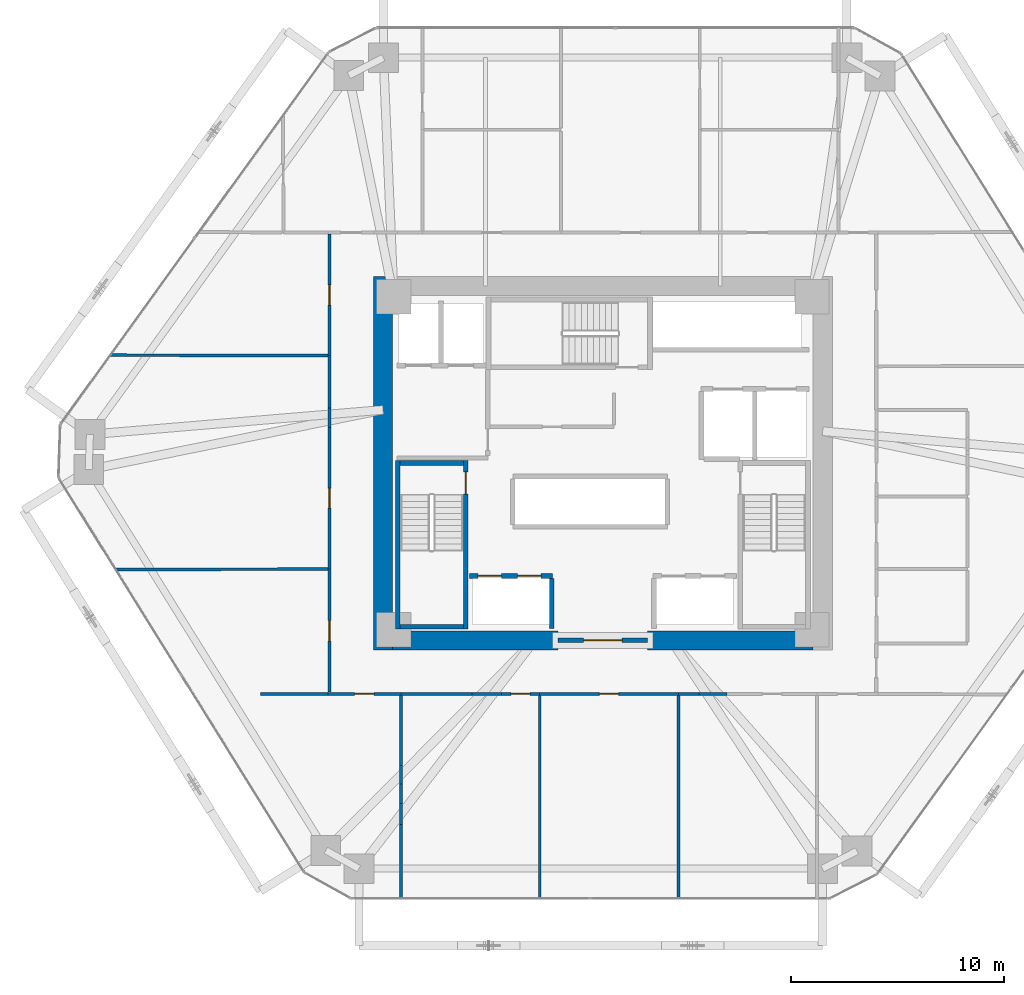
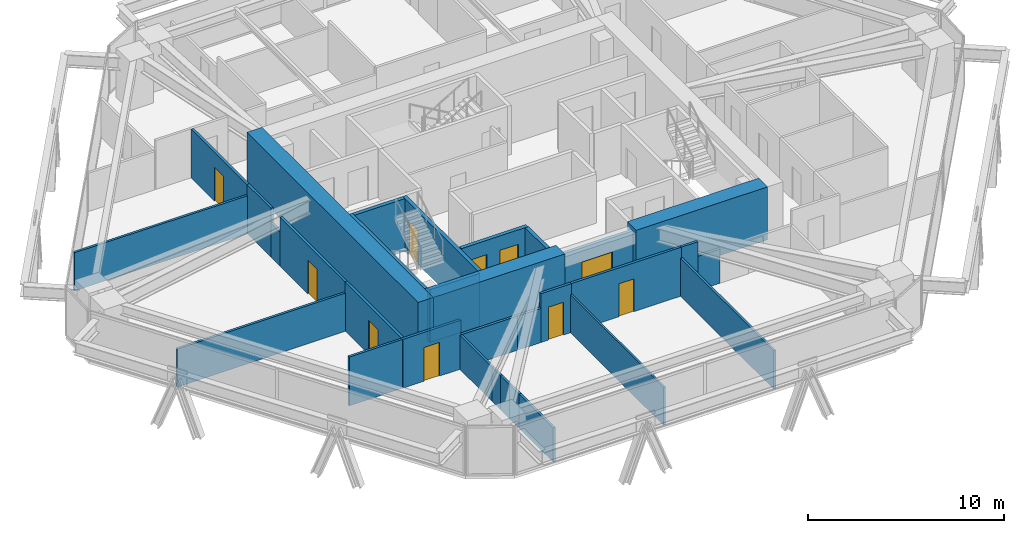
# One storey, part 13 of 17: 32 walls, 10 doors, 10 openings.
"""IFC4 building model written with IfcOpenShell, lengths in metres."""

from ifc_helpers import new_model, si_unit, direction, frame, frame_2d, origin, place, context, subcontext, project, spatial, rectangle, extrude, source, transform, mapped, material, layer, layer_set, type_object, type_shapes, element, fill, save


model = new_model("IFC4")

# Units and contexts
model_context = context("Model", 3, precision=1e-05, world=origin(), true_north=direction((0.0, 1.0)))
body_context = subcontext(model_context, "Body", "Model", "MODEL_VIEW")
ifc_project = project(units=[si_unit("LENGTHUNIT", "METRE"), si_unit("AREAUNIT", "SQUARE_METRE"), si_unit("VOLUMEUNIT", "CUBIC_METRE"), si_unit("PLANEANGLEUNIT", "RADIAN"), si_unit("MASSUNIT", "GRAM", prefix="KILO")], contexts=[model_context])

# Site, building, storey
site_placement = place(None, origin())
site = spatial("IfcSite", under=ifc_project, at=site_placement, CompositionType="ELEMENT")
building_placement = place(site_placement, origin())
building = spatial("IfcBuilding", under=site, at=building_placement, Name="Durnholm Broadcast Tower", CompositionType="ELEMENT")
storey_placement = place(building_placement, frame((0.0, 0.0, 45.60009765625)))
storey = spatial("IfcBuildingStorey", under=building, at=storey_placement, Name="L10", CompositionType="ELEMENT", Elevation=45.60009765625)

# Walls
ifc_material_1 = material(Name="Concrete C70/85", Category="concrete")
ifc_layer_1 = layer(ifc_material_1, 0.89990234375)
ifc_layer_set_1 = layer_set([ifc_layer_1], Name="Concrete C70/85")
wall_type_1 = type_object("IfcWallType", Name="WALL-CW-900", PredefinedType="SHEAR", material=ifc_layer_set_1)
wall_1_placement = place(storey_placement, frame((-10.300048828125, -8.75, 0.0), z_axis=(0.0, 0.0, 1.0), x_axis=(0.0, 1.0, 0.0)))
element("IfcWall", 1, at=wall_1_placement, inside=storey, type_object=wall_type_1, Name="L10 central core shear wall CW-WEST", PredefinedType="SHEAR", context=body_context, shape_type="SweptSolid", body=[
    extrude(rectangle(XDim=17.5, YDim=0.89990234375, at=frame_2d((8.75, 0.0))), origin(), (0.0, 0.0, 1.0), 3.2998046875),
])
for number, where, z_axis, x_axis, name in (
    (2, (-9.85009765625, -8.300048828125, 0.0), (0.0, 0.0, 1.0), (1.0, 0.0, 0.0), "L10 central core shear wall CW-S1"),
    (3, (2.10009765625, -8.300048828125, 0.0), (0.0, 0.0, 1.0), (1.0, 0.0, 0.0), "L10 central core shear wall CW-S2"),
):
    element("IfcWall", number, at=place(storey_placement, frame(where, z_axis=z_axis, x_axis=x_axis)), inside=storey, type_object=wall_type_1, Name=name, PredefinedType="SHEAR", context=body_context, shape_type="SweptSolid", body=[
        extrude(rectangle(XDim=7.75, YDim=0.89990234375, at=frame_2d((3.875, 0.0))), origin(), (0.0, 0.0, 1.0), 3.2998046875),
    ])

# Wall, opening, door
ifc_material_2 = material(Name="Fire-Rated Gypsum Shaftwall", Category="concrete")
ifc_layer_2 = layer(ifc_material_2, 0.199951171875)
ifc_layer_set_2 = layer_set([ifc_layer_2], Name="Fire-Rated Gypsum Shaftwall")
wall_type_2 = type_object("IfcWallType", Name="WALL-LOB-200", PredefinedType="SOLIDWALL", material=ifc_layer_set_2)
wall_2_placement = place(storey_placement, frame((-2.10009765625, -8.300048828125, 0.0), z_axis=(0.0, 0.0, 1.0), x_axis=(1.0, 0.0, 0.0)))
wall_2 = element("IfcWall", 4, at=wall_2_placement, inside=storey, type_object=wall_type_2, Name="L10 south core lobby fire screen", PredefinedType="SOLIDWALL", context=body_context, shape_type="SweptSolid", body=[
    extrude(rectangle(XDim=4.2001953125, YDim=0.199951171875, at=frame_2d((2.10009765625, 0.0))), origin(), (0.0, 0.0, 1.0), 3.044921875),
])
opening_1_placement = place(wall_2_placement, frame((1.199951171875, 0.0, 0.0)))
opening_1 = element("IfcOpeningElement", 5, at=opening_1_placement, cuts=wall_2, Name="Opening DP-60", PredefinedType="OPENING", context=body_context, shape_type="SweptSolid", body=[
    extrude(rectangle(XDim=1.800048828125, YDim=2.14990234375, at=frame_2d((0.89990234375, 1.074951171875))), frame((0.0, 0.10986328125, 0.0), z_axis=(0.0, -1.0, 0.0), x_axis=(1.0, 0.0, 0.0)), (0.0, 0.0, 1.0), 0.219970703125),
])
ifc_material_3 = material(Name="Fire-Rated Double Corridor Door", Category="steel")
ifc_layer_3 = layer(ifc_material_3, 0.050048828125)
ifc_layer_set_3 = layer_set([ifc_layer_3], Name="Fire-Rated Double Corridor Door")
door_type_1 = type_object("IfcDoorType", Name="DOOR-PAIR-FD60", OperationType="DOUBLE_DOOR_SINGLE_SWING", PredefinedType="DOOR", material=ifc_layer_set_3)
shared_shape_1 = source(origin(), body_context, "Body", "SweptSolid", [
    extrude(rectangle(XDim=1.800048828125, YDim=2.14990234375, at=frame_2d((0.89990234375, 1.074951171875))), frame((0.0, 0.02490234375, 0.0), z_axis=(0.0, -1.0, 0.0), x_axis=(1.0, 0.0, 0.0)), (0.0, 0.0, 1.0), 0.050048828125),
])
type_shapes(door_type_1, [shared_shape_1])
door_1_placement = place(opening_1_placement, origin())
door_1 = element("IfcDoor", 6, at=door_1_placement, inside=storey, type_object=door_type_1, Name="L10 south core lobby double fire door", OperationType="DOUBLE_DOOR_SINGLE_SWING", OverallHeight=2.14990234375, OverallWidth=1.800048828125, PredefinedType="DOOR", context=body_context, shape_type="MappedRepresentation", body=[
    mapped(shared_shape_1, transform((0.0, 0.0, 0.0), x_axis=(1.0, 0.0, 0.0), y_axis=(0.0, 1.0, 0.0), z_axis=(0.0, 0.0, 1.0), scale=1.0)),
])
fill(opening_1, door_1)

# Walls
ifc_material_4 = material(Name="Operable Acoustic Panel Partition", Category="aluminium")
ifc_layer_4 = layer(ifc_material_4, 0.110107421875)
ifc_layer_set_4 = layer_set([ifc_layer_4], Name="Operable Acoustic Panel Partition")
wall_type_3 = type_object("IfcWallType", Name="WALL-MOV-110", PredefinedType="MOVABLE", material=ifc_layer_set_4)
wall_3_placement = place(storey_placement, frame((-2.9599609375, -10.888916015625, 0.0), z_axis=(0.0, 0.0, 1.0), x_axis=(0.0, -1.0, 0.0)))
element("IfcWall", 7, at=wall_3_placement, inside=storey, type_object=wall_type_3, Name="L10 room dividing partition 14.15", PredefinedType="MOVABLE", context=body_context, shape_type="SweptSolid", body=[
    extrude(rectangle(XDim=9.510986328125, YDim=0.110107421875, at=frame_2d((4.75537109375, 0.0))), origin(), (0.0, 0.0, 1.0), 2.3798828125),
])
ifc_material_5 = material(Name="Gypsum Metal Stud Partition", Category="concrete")
ifc_layer_5 = layer(ifc_material_5, 0.135009765625)
ifc_layer_set_5 = layer_set([ifc_layer_5], Name="Gypsum Metal Stud Partition")
wall_type_4 = type_object("IfcWallType", Name="WALL-PART-135", PredefinedType="PARTITIONING", material=ifc_layer_set_5)
wall_4_placement = place(storey_placement, frame((-9.4599609375, -10.888916015625, 0.0), z_axis=(0.0, 0.0, 1.0), x_axis=(0.0, -1.0, 0.0)))
element("IfcWall", 8, at=wall_4_placement, inside=storey, type_object=wall_type_4, Name="L10 room dividing partition 13.14", PredefinedType="PARTITIONING", context=body_context, shape_type="SweptSolid", body=[
    extrude(rectangle(XDim=3.2783203125, YDim=0.135009765625, at=frame_2d((1.63916015625, 0.0))), origin(), (0.0, 0.0, 1.0), 2.1298828125),
])
wall_5_placement = place(storey_placement, frame((-9.4599609375, -15.02392578125, 0.0), z_axis=(0.0, 0.0, 1.0), x_axis=(0.0, -1.0, 0.0)))
element("IfcWall", 9, at=wall_5_placement, inside=storey, type_object=wall_type_4, Name="L10 room dividing partition 13.14", PredefinedType="PARTITIONING", context=body_context, shape_type="SweptSolid", body=[
    extrude(rectangle(XDim=0.91845703125, YDim=0.135009765625, at=frame_2d((0.459228515625, 0.0))), origin(), (0.0, 0.0, 1.0), 2.1298828125),
])
wall_6_placement = place(storey_placement, frame((-9.4599609375, -16.932861328125, 0.0), z_axis=(0.0, 0.0, 1.0), x_axis=(0.0, -1.0, 0.0)))
element("IfcWall", 10, at=wall_6_placement, inside=storey, type_object=wall_type_4, Name="L10 room dividing partition 13.14", PredefinedType="PARTITIONING", context=body_context, shape_type="SweptSolid", body=[
    extrude(rectangle(XDim=3.467041015625, YDim=0.135009765625, at=frame_2d((1.7333984375, 0.0))), origin(), (0.0, 0.0, 1.0), 2.1298828125),
])
wall_7_placement = place(storey_placement, frame((-9.4599609375, -14.167236328125, 0.0), z_axis=(0.0, 0.0, 1.0), x_axis=(0.0, -1.0, 0.0)))
element("IfcWall", 11, at=wall_7_placement, inside=storey, type_object=wall_type_4, Name="L10 room dividing partition 13.14", PredefinedType="PARTITIONING", context=body_context, shape_type="SweptSolid", body=[
    extrude(rectangle(XDim=0.856689453125, YDim=0.135009765625, at=frame_2d((0.42822265625, 0.0))), origin(), (0.0, 0.0, 1.0), 2.1298828125),
])
wall_8_placement = place(storey_placement, frame((-9.4599609375, -15.9423828125, 0.0), z_axis=(0.0, 0.0, 1.0), x_axis=(0.0, -1.0, 0.0)))
element("IfcWall", 12, at=wall_8_placement, inside=storey, type_object=wall_type_4, Name="L10 room dividing partition 13.14", PredefinedType="PARTITIONING", context=body_context, shape_type="SweptSolid", body=[
    extrude(rectangle(XDim=0.990478515625, YDim=0.135009765625, at=frame_2d((0.4951171875, 0.0))), origin(), (0.0, 0.0, 1.0), 2.1298828125),
])
wall_9_placement = place(storey_placement, frame((-16.0400390625, -10.81005859375, 0.0), z_axis=(0.0, 0.0, 1.0), x_axis=(1.0, 0.0, 0.0)))
element("IfcWall", 13, at=wall_9_placement, inside=storey, type_object=wall_type_4, Name="L10 room dividing partition 13.18", PredefinedType="PARTITIONING", context=body_context, shape_type="SweptSolid", body=[
    extrude(rectangle(XDim=3.150146484375, YDim=0.135009765625, at=frame_2d((1.5751953125, 0.0))), origin(), (0.0, 0.0, 1.0), 3.044921875),
])
wall_10_placement = place(storey_placement, frame((3.5400390625, -10.888916015625, 0.0), z_axis=(0.0, 0.0, 1.0), x_axis=(0.0, -1.0, 0.0)))
element("IfcWall", 14, at=wall_10_placement, inside=storey, type_object=wall_type_4, Name="L10 room dividing partition 15.16", PredefinedType="PARTITIONING", context=body_context, shape_type="SweptSolid", body=[
    extrude(rectangle(XDim=9.510986328125, YDim=0.135009765625, at=frame_2d((4.75537109375, 0.0))), origin(), (0.0, 0.0, 1.0), 2.3798828125),
])
wall_11_placement = place(storey_placement, frame((-22.824951171875, -4.981201171875, 0.0), z_axis=(0.0, 0.0, 1.0), x_axis=(0.999997767357, 0.002113121234, 0.0)))
element("IfcWall", 15, at=wall_11_placement, inside=storey, type_object=wall_type_4, Name="L10 room dividing partition 18.19", PredefinedType="PARTITIONING", context=body_context, shape_type="SweptSolid", body=[
    extrude(rectangle(XDim=9.93603515625, YDim=0.135009765625, at=frame_2d((4.968017578125, 0.0))), origin(), (0.0, 0.0, 1.0), 2.3798828125),
])
wall_12_placement = place(storey_placement, frame((-23.081787109375, 5.0634765625, 0.0), z_axis=(0.0, 0.0, 1.0), x_axis=(0.999997411176, -0.002275443211, 0.0)))
element("IfcWall", 16, at=wall_12_placement, inside=storey, type_object=wall_type_4, Name="L10 room dividing partition 19.20", PredefinedType="PARTITIONING", context=body_context, shape_type="SweptSolid", body=[
    extrude(rectangle(XDim=10.19287109375, YDim=0.135009765625, at=frame_2d((5.096435546875, 0.0))), origin(), (0.0, 0.0, 1.0), 2.3798828125),
])

# Wall, opening, door
ifc_material_6 = material(Name="Acoustic Gypsum Stud Partition", Category="concrete")
ifc_layer_6 = layer(ifc_material_6, 0.14990234375)
ifc_layer_set_6 = layer_set([ifc_layer_6], Name="Acoustic Gypsum Stud Partition")
wall_type_5 = type_object("IfcWallType", Name="WALL-PART-150", PredefinedType="PARTITIONING", material=ifc_layer_set_6)
wall_13_placement = place(storey_placement, frame((-12.889892578125, -10.81005859375, 0.0), z_axis=(0.0, 0.0, 1.0), x_axis=(1.0, 0.0, 0.0)))
wall_13 = element("IfcWall", 17, at=wall_13_placement, inside=storey, type_object=wall_type_5, Name="L10 Media Legal Office corridor partition", PredefinedType="PARTITIONING", context=body_context, shape_type="SweptSolid", body=[
    extrude(rectangle(XDim=3.429931640625, YDim=0.14990234375, at=frame_2d((1.71484375, 0.0))), origin(), (0.0, 0.0, 1.0), 3.044921875),
])
opening_2_placement = place(wall_13_placement, frame((1.2548828125, 0.0, 0.0)))
opening_2 = element("IfcOpeningElement", 18, at=opening_2_placement, cuts=wall_13, Name="Opening DR-92L", PredefinedType="OPENING", context=body_context, shape_type="SweptSolid", body=[
    extrude(rectangle(XDim=0.919921875, YDim=2.10009765625, at=frame_2d((0.4599609375, 1.050048828125))), frame((0.0, 0.0849609375, 0.0), z_axis=(0.0, -1.0, 0.0), x_axis=(1.0, 0.0, 0.0)), (0.0, 0.0, 1.0), 0.169921875),
])
ifc_material_7 = material(Name="Oak Veneer Office Door", Category="wood")
ifc_layer_7 = layer(ifc_material_7, 0.050048828125)
ifc_layer_set_7 = layer_set([ifc_layer_7], Name="Oak Veneer Office Door")
door_type_2 = type_object("IfcDoorType", Name="DOOR-RM-920L", OperationType="NOTDEFINED", PredefinedType="DOOR", material=ifc_layer_set_7)
shared_shape_2 = source(origin(), body_context, "Body", "SweptSolid", [
    extrude(rectangle(XDim=0.919921875, YDim=2.10009765625, at=frame_2d((0.4599609375, 1.050048828125))), frame((0.0, 0.02490234375, 0.0), z_axis=(0.0, -1.0, 0.0), x_axis=(1.0, 0.0, 0.0)), (0.0, 0.0, 1.0), 0.050048828125),
])
type_shapes(door_type_2, [shared_shape_2])
door_2_placement = place(opening_2_placement, origin())
door_2 = element("IfcDoor", 19, at=door_2_placement, inside=storey, type_object=door_type_2, Name="L10 Media Legal Office entrance door", OperationType="SINGLE_SWING_LEFT", OverallHeight=2.10009765625, OverallWidth=0.919921875, PredefinedType="DOOR", context=body_context, shape_type="MappedRepresentation", body=[
    mapped(shared_shape_2, transform((0.0, 0.0, 0.0), x_axis=(1.0, 0.0, 0.0), y_axis=(0.0, 1.0, 0.0), z_axis=(0.0, 0.0, 1.0), scale=1.0)),
])
fill(opening_2, door_2)

# Wall
wall_14_placement = place(storey_placement, frame((-9.4599609375, -10.81005859375, 0.0), z_axis=(0.0, 0.0, 1.0), x_axis=(1.0, 0.0, 0.0)))
element("IfcWall", 20, at=wall_14_placement, inside=storey, type_object=wall_type_5, Name="L10 Research Meeting Room corridor partition", PredefinedType="PARTITIONING", context=body_context, shape_type="SweptSolid", body=[
    extrude(rectangle(XDim=3.33837890625, YDim=0.14990234375, at=frame_2d((1.669189453125, 0.0))), origin(), (0.0, 0.0, 1.0), 2.1298828125),
])

# Wall, opening, door
wall_15_placement = place(storey_placement, frame((-4.749755859375, -10.81005859375, 0.0), z_axis=(0.0, 0.0, 1.0), x_axis=(1.0, 0.0, 0.0)))
wall_15 = element("IfcWall", 21, at=wall_15_placement, inside=storey, type_object=wall_type_5, Name="L10 Research Meeting Room corridor partition", PredefinedType="PARTITIONING", context=body_context, shape_type="SweptSolid", body=[
    extrude(rectangle(XDim=1.789794921875, YDim=0.14990234375, at=frame_2d((0.89501953125, 0.0))), origin(), (0.0, 0.0, 1.0), 3.044921875),
])
opening_3_placement = place(wall_15_placement, frame((0.44482421875, 0.0, 0.0)))
opening_3 = element("IfcOpeningElement", 22, at=opening_3_placement, cuts=wall_15, Name="Opening DW-90R", PredefinedType="OPENING", context=body_context, shape_type="SweptSolid", body=[
    extrude(rectangle(XDim=0.89990234375, YDim=2.050048828125, at=frame_2d((0.449951171875, 1.02490234375))), frame((0.0, 0.0849609375, 0.0), z_axis=(0.0, -1.0, 0.0), x_axis=(1.0, 0.0, 0.0)), (0.0, 0.0, 1.0), 0.169921875),
])
ifc_material_8 = material(Name="Laminate Restroom Door", Category="steel")
ifc_layer_8 = layer(ifc_material_8, 0.050048828125)
ifc_layer_set_8 = layer_set([ifc_layer_8], Name="Laminate Restroom Door")
door_type_3 = type_object("IfcDoorType", Name="DOOR-WC-900R", OperationType="NOTDEFINED", PredefinedType="DOOR", material=ifc_layer_set_8)
shared_shape_3 = source(origin(), body_context, "Body", "SweptSolid", [
    extrude(rectangle(XDim=0.89990234375, YDim=2.050048828125, at=frame_2d((0.449951171875, 1.02490234375))), frame((0.0, 0.02490234375, 0.0), z_axis=(0.0, -1.0, 0.0), x_axis=(1.0, 0.0, 0.0)), (0.0, 0.0, 1.0), 0.050048828125),
])
type_shapes(door_type_3, [shared_shape_3])
door_3_placement = place(opening_3_placement, origin())
door_3 = element("IfcDoor", 23, at=door_3_placement, inside=storey, type_object=door_type_3, Name="L10 Research Meeting Room entrance door", OperationType="SINGLE_SWING_RIGHT", OverallHeight=2.050048828125, OverallWidth=0.89990234375, PredefinedType="DOOR", context=body_context, shape_type="MappedRepresentation", body=[
    mapped(shared_shape_3, transform((0.0, 0.0, 0.0), x_axis=(1.0, 0.0, 0.0), y_axis=(0.0, 1.0, 0.0), z_axis=(0.0, 0.0, 1.0), scale=1.0)),
])
fill(opening_3, door_3)

# Wall
wall_16_placement = place(storey_placement, frame((-6.12158203125, -10.81005859375, 0.0), z_axis=(0.0, 0.0, 1.0), x_axis=(1.0, 0.0, 0.0)))
element("IfcWall", 24, at=wall_16_placement, inside=storey, type_object=wall_type_5, Name="L10 Research Meeting Room corridor partition", PredefinedType="PARTITIONING", context=body_context, shape_type="SweptSolid", body=[
    extrude(rectangle(XDim=1.371826171875, YDim=0.14990234375, at=frame_2d((0.68603515625, 0.0))), origin(), (0.0, 0.0, 1.0), 2.1298828125),
])

# Wall, opening, door
wall_17_placement = place(storey_placement, frame((-2.9599609375, -10.81005859375, 0.0), z_axis=(0.0, 0.0, 1.0), x_axis=(1.0, 0.0, 0.0)))
wall_17 = element("IfcWall", 25, at=wall_17_placement, inside=storey, type_object=wall_type_5, Name="L10 Tape Store corridor partition", PredefinedType="PARTITIONING", context=body_context, shape_type="SweptSolid", body=[
    extrude(rectangle(XDim=6.5, YDim=0.14990234375, at=frame_2d((3.25, 0.0))), origin(), (0.0, 0.0, 1.0), 3.044921875),
])
opening_4_placement = place(wall_17_placement, frame((2.800048828125, 0.0, 0.0)))
opening_4 = element("IfcOpeningElement", 26, at=opening_4_placement, cuts=wall_17, Name="Opening DC-60L", PredefinedType="OPENING", context=body_context, shape_type="SweptSolid", body=[
    extrude(rectangle(XDim=0.89990234375, YDim=2.050048828125, at=frame_2d((0.449951171875, 1.02490234375))), frame((0.0, 0.0849609375, 0.0), z_axis=(0.0, -1.0, 0.0), x_axis=(1.0, 0.0, 0.0)), (0.0, 0.0, 1.0), 0.169921875),
])
ifc_material_9 = material(Name="Fire-Rated Core Service Door", Category="steel")
ifc_layer_9 = layer(ifc_material_9, 0.050048828125)
ifc_layer_set_9 = layer_set([ifc_layer_9], Name="Fire-Rated Core Service Door")
door_type_4 = type_object("IfcDoorType", Name="DOOR-CORE-FD60-L", OperationType="NOTDEFINED", PredefinedType="DOOR", material=ifc_layer_set_9)
shared_shape_4 = source(origin(), body_context, "Body", "SweptSolid", [
    extrude(rectangle(XDim=0.89990234375, YDim=2.050048828125, at=frame_2d((0.449951171875, 1.02490234375))), frame((0.0, 0.02490234375, 0.0), z_axis=(0.0, -1.0, 0.0), x_axis=(1.0, 0.0, 0.0)), (0.0, 0.0, 1.0), 0.050048828125),
])
type_shapes(door_type_4, [shared_shape_4])
door_4_placement = place(opening_4_placement, origin())
door_4 = element("IfcDoor", 27, at=door_4_placement, inside=storey, type_object=door_type_4, Name="L10 Tape Store entrance door", OperationType="SINGLE_SWING_LEFT", OverallHeight=2.050048828125, OverallWidth=0.89990234375, PredefinedType="DOOR", context=body_context, shape_type="MappedRepresentation", body=[
    mapped(shared_shape_4, transform((0.0, 0.0, 0.0), x_axis=(1.0, 0.0, 0.0), y_axis=(0.0, 1.0, 0.0), z_axis=(0.0, 0.0, 1.0), scale=1.0)),
])
fill(opening_4, door_4)

# Walls
wall_18_placement = place(storey_placement, frame((3.5400390625, -10.81005859375, 0.0), z_axis=(0.0, 0.0, 1.0), x_axis=(1.0, 0.0, 0.0)))
element("IfcWall", 28, at=wall_18_placement, inside=storey, type_object=wall_type_5, Name="L10 Video Edit Office 1 corridor partition", PredefinedType="PARTITIONING", context=body_context, shape_type="SweptSolid", body=[
    extrude(rectangle(XDim=0.959228515625, YDim=0.14990234375, at=frame_2d((0.4794921875, 0.0))), origin(), (0.0, 0.0, 1.0), 3.044921875),
])
wall_19_placement = place(storey_placement, frame((4.499267578125, -10.81005859375, 0.0), z_axis=(0.0, 0.0, 1.0), x_axis=(1.0, 0.0, 0.0)))
element("IfcWall", 29, at=wall_19_placement, inside=storey, type_object=wall_type_5, Name="L10 Video Edit Office 1 corridor partition", PredefinedType="PARTITIONING", context=body_context, shape_type="SweptSolid", body=[
    extrude(rectangle(XDim=1.318115234375, YDim=0.14990234375, at=frame_2d((0.6591796875, 0.0))), origin(), (0.0, 0.0, 1.0), 2.1298828125),
])

# Wall, opening, door
wall_20_placement = place(storey_placement, frame((-12.81005859375, -4.9599609375, 0.0), z_axis=(0.0, 0.0, 1.0), x_axis=(0.0, -1.0, 0.0)))
wall_20 = element("IfcWall", 30, at=wall_20_placement, inside=storey, type_object=wall_type_5, Name="L10 Color Timing Office corridor partition", PredefinedType="PARTITIONING", context=body_context, shape_type="SweptSolid", body=[
    extrude(rectangle(XDim=5.77099609375, YDim=0.14990234375, at=frame_2d((2.885498046875, 0.0))), origin(), (0.0, 0.0, 1.0), 3.044921875),
])
opening_5_placement = place(wall_20_placement, frame((2.410400390625, 0.0, 0.0)))
opening_5 = element("IfcOpeningElement", 31, at=opening_5_placement, cuts=wall_20, Name="Opening DR-95L", PredefinedType="OPENING", context=body_context, shape_type="SweptSolid", body=[
    extrude(rectangle(XDim=0.949951171875, YDim=2.10009765625, at=frame_2d((0.47509765625, 1.050048828125))), frame((0.0, 0.0849609375, 0.0), z_axis=(0.0, -1.0, 0.0), x_axis=(1.0, 0.0, 0.0)), (0.0, 0.0, 1.0), 0.169921875),
])
ifc_material_10 = material(Name="Acoustic Oak Veneer Timber Door", Category="wood")
ifc_layer_10 = layer(ifc_material_10, 0.050048828125)
ifc_layer_set_10 = layer_set([ifc_layer_10], Name="Acoustic Oak Veneer Timber Door")
door_type_5 = type_object("IfcDoorType", Name="DOOR-RM-950L", OperationType="NOTDEFINED", PredefinedType="DOOR", material=ifc_layer_set_10)
shared_shape_5 = source(origin(), body_context, "Body", "SweptSolid", [
    extrude(rectangle(XDim=0.949951171875, YDim=2.10009765625, at=frame_2d((0.47509765625, 1.050048828125))), frame((0.0, 0.02490234375, 0.0), z_axis=(0.0, -1.0, 0.0), x_axis=(1.0, 0.0, 0.0)), (0.0, 0.0, 1.0), 0.050048828125),
])
type_shapes(door_type_5, [shared_shape_5])
door_5_placement = place(opening_5_placement, origin())
door_5 = element("IfcDoor", 32, at=door_5_placement, inside=storey, type_object=door_type_5, Name="L10 Color Timing Office entrance door", OperationType="SINGLE_SWING_LEFT", OverallHeight=2.10009765625, OverallWidth=0.949951171875, PredefinedType="DOOR", context=body_context, shape_type="MappedRepresentation", body=[
    mapped(shared_shape_5, transform((0.0, 0.0, 0.0), x_axis=(1.0, 0.0, 0.0), y_axis=(0.0, 1.0, 0.0), z_axis=(0.0, 0.0, 1.0), scale=1.0)),
])
fill(opening_5, door_5)

# Wall
wall_21_placement = place(storey_placement, frame((-12.81005859375, 5.0400390625, 0.0), z_axis=(0.0, 0.0, 1.0), x_axis=(0.0, -1.0, 0.0)))
element("IfcWall", 33, at=wall_21_placement, inside=storey, type_object=wall_type_5, Name="L10 Audio Mix Office corridor partition", PredefinedType="PARTITIONING", context=body_context, shape_type="SweptSolid", body=[
    extrude(rectangle(XDim=2.44775390625, YDim=0.14990234375, at=frame_2d((1.223876953125, 0.0))), origin(), (0.0, 0.0, 1.0), 3.044921875),
])

# Wall, opening, door
wall_22_placement = place(storey_placement, frame((-12.81005859375, 1.682373046875, 0.0), z_axis=(0.0, 0.0, 1.0), x_axis=(0.0, -1.0, 0.0)))
wall_22 = element("IfcWall", 34, at=wall_22_placement, inside=storey, type_object=wall_type_5, Name="L10 Audio Mix Office corridor partition", PredefinedType="PARTITIONING", context=body_context, shape_type="SweptSolid", body=[
    extrude(rectangle(XDim=6.642333984375, YDim=0.14990234375, at=frame_2d((3.3212890625, 0.0))), origin(), (0.0, 0.0, 1.0), 3.044921875),
])
opening_6_placement = place(wall_22_placement, frame((2.861083984375, 0.0, 0.0)))
opening_6 = element("IfcOpeningElement", 35, at=opening_6_placement, cuts=wall_22, Name="Opening DR-92R", PredefinedType="OPENING", context=body_context, shape_type="SweptSolid", body=[
    extrude(rectangle(XDim=0.919921875, YDim=2.10009765625, at=frame_2d((0.4599609375, 1.050048828125))), frame((0.0, 0.0849609375, 0.0), z_axis=(0.0, -1.0, 0.0), x_axis=(1.0, 0.0, 0.0)), (0.0, 0.0, 1.0), 0.169921875),
])
ifc_layer_11 = layer(ifc_material_7, 0.050048828125)
ifc_layer_set_11 = layer_set([ifc_layer_11], Name="Oak Veneer Office Door")
door_type_6 = type_object("IfcDoorType", Name="DOOR-RM-920R", OperationType="NOTDEFINED", PredefinedType="DOOR", material=ifc_layer_set_11)
shared_shape_6 = source(origin(), body_context, "Body", "SweptSolid", [
    extrude(rectangle(XDim=0.919921875, YDim=2.10009765625, at=frame_2d((0.4599609375, 1.050048828125))), frame((0.0, 0.02490234375, 0.0), z_axis=(0.0, -1.0, 0.0), x_axis=(1.0, 0.0, 0.0)), (0.0, 0.0, 1.0), 0.050048828125),
])
type_shapes(door_type_6, [shared_shape_6])
door_6_placement = place(opening_6_placement, origin())
door_6 = element("IfcDoor", 36, at=door_6_placement, inside=storey, type_object=door_type_6, Name="L10 Audio Mix Office entrance door", OperationType="SINGLE_SWING_RIGHT", OverallHeight=2.10009765625, OverallWidth=0.919921875, PredefinedType="DOOR", context=body_context, shape_type="MappedRepresentation", body=[
    mapped(shared_shape_6, transform((0.0, 0.0, 0.0), x_axis=(1.0, 0.0, 0.0), y_axis=(0.0, 1.0, 0.0), z_axis=(0.0, 0.0, 1.0), scale=1.0)),
])
fill(opening_6, door_6)

# Wall
wall_23_placement = place(storey_placement, frame((-12.81005859375, 2.59228515625, 0.0), z_axis=(0.0, 0.0, 1.0), x_axis=(0.0, -1.0, 0.0)))
element("IfcWall", 37, at=wall_23_placement, inside=storey, type_object=wall_type_5, Name="L10 Audio Mix Office corridor partition", PredefinedType="PARTITIONING", context=body_context, shape_type="SweptSolid", body=[
    extrude(rectangle(XDim=0.909912109375, YDim=0.14990234375, at=frame_2d((0.455078125, 0.0))), origin(), (0.0, 0.0, 1.0), 2.1298828125),
])

# Wall, opening, door
wall_24_placement = place(storey_placement, frame((-12.81005859375, 10.73095703125, 0.0), z_axis=(0.0, 0.0, 1.0), x_axis=(0.0, -1.0, 0.0)))
wall_24 = element("IfcWall", 38, at=wall_24_placement, inside=storey, type_object=wall_type_5, Name="L10 Senior Editor Office corridor partition", PredefinedType="PARTITIONING", context=body_context, shape_type="SweptSolid", body=[
    extrude(rectangle(XDim=5.69091796875, YDim=0.14990234375, at=frame_2d((2.845458984375, 0.0))), origin(), (0.0, 0.0, 1.0), 3.044921875),
])
opening_7_placement = place(wall_24_placement, frame((2.37060546875, 0.0, 0.0)))
opening_7 = element("IfcOpeningElement", 39, at=opening_7_placement, cuts=wall_24, Name="Opening DR-95L", PredefinedType="OPENING", context=body_context, shape_type="SweptSolid", body=[
    extrude(rectangle(XDim=0.949951171875, YDim=2.10009765625, at=frame_2d((0.47509765625, 1.050048828125))), frame((0.0, 0.0849609375, 0.0), z_axis=(0.0, -1.0, 0.0), x_axis=(1.0, 0.0, 0.0)), (0.0, 0.0, 1.0), 0.169921875),
])
door_7_placement = place(opening_7_placement, origin())
door_7 = element("IfcDoor", 40, at=door_7_placement, inside=storey, type_object=door_type_5, Name="L10 Senior Editor Office entrance door", OperationType="SINGLE_SWING_LEFT", OverallHeight=2.10009765625, OverallWidth=0.949951171875, PredefinedType="DOOR", context=body_context, shape_type="MappedRepresentation", body=[
    mapped(shared_shape_5, transform((0.0, 0.0, 0.0), x_axis=(1.0, 0.0, 0.0), y_axis=(0.0, 1.0, 0.0), z_axis=(0.0, 0.0, 1.0), scale=1.0)),
])
fill(opening_7, door_7)

# Wall, openings, doors
ifc_material_11 = material(Name="Concrete Blockwork C30/37", Category="masonry")
ifc_layer_12 = layer(ifc_material_11, 0.219970703125)
ifc_layer_set_12 = layer_set([ifc_layer_12], Name="Concrete Blockwork C30/37")
wall_type_6 = type_object("IfcWallType", Name="WALL-SHAFT-220", PredefinedType="SOLIDWALL", material=ifc_layer_set_12)
wall_25_placement = place(storey_placement, frame((-6.25, -5.280029296875, 0.0), z_axis=(0.0, 0.0, 1.0), x_axis=(1.0, 0.0, 0.0)))
wall_25 = element("IfcWall", 41, at=wall_25_placement, inside=storey, type_object=wall_type_6, Name="L10 low-rise bank P1 west front wall", PredefinedType="SOLIDWALL", context=body_context, shape_type="SweptSolid", body=[
    extrude(rectangle(XDim=3.89990234375, YDim=0.219970703125, at=frame_2d((1.949951171875, 0.0))), origin(), (0.0, 0.0, 1.0), 3.044921875),
])
opening_8_placement = place(wall_25_placement, frame((0.39990234375, 0.0, 0.0)))
opening_8 = element("IfcOpeningElement", 42, at=opening_8_placement, cuts=wall_25, Name="Opening LD-LP1-1", PredefinedType="OPENING", context=body_context, shape_type="SweptSolid", body=[
    extrude(rectangle(XDim=1.10009765625, YDim=2.14990234375, at=frame_2d((0.550048828125, 1.074951171875))), frame((0.0, 0.1201171875, 0.0), z_axis=(0.0, -1.0, 0.0), x_axis=(1.0, 0.0, 0.0)), (0.0, 0.0, 1.0), 0.239990234375),
])
opening_9_placement = place(wall_25_placement, frame((2.25, 0.0, 0.0)))
opening_9 = element("IfcOpeningElement", 43, at=opening_9_placement, cuts=wall_25, Name="Opening LD-LP1-2", PredefinedType="OPENING", context=body_context, shape_type="SweptSolid", body=[
    extrude(rectangle(XDim=1.10009765625, YDim=2.14990234375, at=frame_2d((0.550048828125, 1.074951171875))), frame((0.0, 0.1201171875, 0.0), z_axis=(0.0, -1.0, 0.0), x_axis=(1.0, 0.0, 0.0)), (0.0, 0.0, 1.0), 0.239990234375),
])
ifc_material_12 = material(Name="Stainless Steel Sliding Elevator Landing Door", Category="steel")
ifc_layer_13 = layer(ifc_material_12, 0.050048828125)
ifc_layer_set_13 = layer_set([ifc_layer_13], Name="Stainless Steel Sliding Elevator Landing Door")
door_type_7 = type_object("IfcDoorType", Name="DOOR-LIFT-PAX", OperationType="DOUBLE_DOOR_SLIDING", PredefinedType="DOOR", material=ifc_layer_set_13)
shared_shape_7 = source(origin(), body_context, "Body", "SweptSolid", [
    extrude(rectangle(XDim=1.10009765625, YDim=2.14990234375, at=frame_2d((0.550048828125, 1.074951171875))), frame((0.0, 0.02490234375, 0.0), z_axis=(0.0, -1.0, 0.0), x_axis=(1.0, 0.0, 0.0)), (0.0, 0.0, 1.0), 0.050048828125),
])
type_shapes(door_type_7, [shared_shape_7])
door_8_placement = place(opening_8_placement, origin())
door_8 = element("IfcDoor", 44, at=door_8_placement, inside=storey, type_object=door_type_7, Name="L10 passenger elevator LP1-1 sliding landing door", OperationType="DOUBLE_DOOR_SLIDING", OverallHeight=2.14990234375, OverallWidth=1.10009765625, PredefinedType="DOOR", context=body_context, shape_type="MappedRepresentation", body=[
    mapped(shared_shape_7, transform((0.0, 0.0, 0.0), x_axis=(1.0, 0.0, 0.0), y_axis=(0.0, 1.0, 0.0), z_axis=(0.0, 0.0, 1.0), scale=1.0)),
])
fill(opening_8, door_8)
door_9_placement = place(opening_9_placement, origin())
door_9 = element("IfcDoor", 45, at=door_9_placement, inside=storey, type_object=door_type_7, Name="L10 passenger elevator LP1-2 sliding landing door", OperationType="DOUBLE_DOOR_SLIDING", OverallHeight=2.14990234375, OverallWidth=1.10009765625, PredefinedType="DOOR", context=body_context, shape_type="MappedRepresentation", body=[
    mapped(shared_shape_7, transform((0.0, 0.0, 0.0), x_axis=(1.0, 0.0, 0.0), y_axis=(0.0, 1.0, 0.0), z_axis=(0.0, 0.0, 1.0), scale=1.0)),
])
fill(opening_9, door_9)

# Wall
wall_26_placement = place(storey_placement, frame((-2.39990234375, -7.75, 0.0), z_axis=(0.0, 0.0, 1.0), x_axis=(0.0, 1.0, 0.0)))
element("IfcWall", 46, at=wall_26_placement, inside=storey, type_object=wall_type_6, Name="L10 low-rise bank P1 west mouth wall", PredefinedType="SOLIDWALL", context=body_context, shape_type="SweptSolid", body=[
    extrude(rectangle(XDim=2.35595703125, YDim=0.219970703125, at=frame_2d((1.177978515625, 0.0))), origin(), (0.0, 0.0, 1.0), 3.044921875),
])

# Wall, opening, door
ifc_material_13 = material(Name="Concrete C50/60", Category="concrete")
ifc_layer_14 = layer(ifc_material_13, 0.219970703125)
ifc_layer_set_14 = layer_set([ifc_layer_14], Name="Concrete C50/60")
wall_type_7 = type_object("IfcWallType", Name="WALL-SW-220", PredefinedType="SHEAR", material=ifc_layer_set_14)
wall_27_placement = place(storey_placement, frame((-6.429931640625, -7.77001953125, -0.239990234375), z_axis=(0.0, 0.0, 1.0), x_axis=(0.0, 1.0, 0.0)))
wall_27 = element("IfcWall", 47, at=wall_27_placement, inside=storey, type_object=wall_type_7, Name="L10 stair ST-1 structural shaft wall E", PredefinedType="SHEAR", context=body_context, shape_type="SweptSolid", body=[
    extrude(rectangle(XDim=7.89013671875, YDim=0.219970703125, at=frame_2d((3.945068359375, 0.0))), origin(), (0.0, 0.0, 1.0), 3.2998046875),
])
opening_10_placement = place(wall_27_placement, frame((6.320068359375, 0.0, 0.0)))
opening_10 = element("IfcOpeningElement", 48, at=opening_10_placement, cuts=wall_27, Name="Opening DS-90L", PredefinedType="OPENING", context=body_context, shape_type="SweptSolid", body=[
    extrude(rectangle(XDim=1.050048828125, YDim=2.14990234375, at=frame_2d((0.52490234375, 1.074951171875))), frame((0.0, 0.1201171875, 0.0), z_axis=(0.0, -1.0, 0.0), x_axis=(1.0, 0.0, 0.0)), (0.0, 0.0, 1.0), 0.239990234375),
])
ifc_material_14 = material(Name="Fire-Rated Steel Door", Category="steel")
ifc_layer_15 = layer(ifc_material_14, 0.050048828125)
ifc_layer_set_15 = layer_set([ifc_layer_15], Name="Fire-Rated Steel Door")
door_type_8 = type_object("IfcDoorType", Name="DOOR-ST-FD90-L", OperationType="NOTDEFINED", PredefinedType="DOOR", material=ifc_layer_set_15)
shared_shape_8 = source(origin(), body_context, "Body", "SweptSolid", [
    extrude(rectangle(XDim=1.050048828125, YDim=2.14990234375, at=frame_2d((0.52490234375, 1.074951171875))), frame((0.0, 0.02490234375, 0.0), z_axis=(0.0, -1.0, 0.0), x_axis=(1.0, 0.0, 0.0)), (0.0, 0.0, 1.0), 0.050048828125),
])
type_shapes(door_type_8, [shared_shape_8])
door_10_placement = place(opening_10_placement, origin())
door_10 = element("IfcDoor", 49, at=door_10_placement, inside=storey, type_object=door_type_8, Name="L10 exit stair ST-1 fire door", OperationType="SINGLE_SWING_LEFT", OverallHeight=2.14990234375, OverallWidth=1.050048828125, PredefinedType="DOOR", context=body_context, shape_type="MappedRepresentation", body=[
    mapped(shared_shape_8, transform((0.0, 0.0, 0.0), x_axis=(1.0, 0.0, 0.0), y_axis=(0.0, 1.0, 0.0), z_axis=(0.0, 0.0, 1.0), scale=1.0)),
])
fill(opening_10, door_10)

# Walls
wall_28_placement = place(storey_placement, frame((-9.610107421875, 0.1201171875, -0.239990234375), z_axis=(0.0, 0.0, 1.0), x_axis=(0.0, -1.0, 0.0)))
element("IfcWall", 50, at=wall_28_placement, inside=storey, type_object=wall_type_7, Name="L10 stair ST-1 structural shaft wall W", PredefinedType="SHEAR", context=body_context, shape_type="SweptSolid", body=[
    extrude(rectangle(XDim=7.89013671875, YDim=0.219970703125, at=frame_2d((3.945068359375, 0.0))), origin(), (0.0, 0.0, 1.0), 3.2998046875),
])
for number, where, z_axis, x_axis, name in (
    (51, (-9.5, -7.659912109375, -0.239990234375), (0.0, 0.0, 1.0), (1.0, 0.0, 0.0), "L10 stair ST-1 structural shaft wall S"),
    (52, (-6.5400390625, 0.010009765625, -0.239990234375), (0.0, 0.0, 1.0), (-1.0, 0.0, 0.0), "L10 stair ST-1 structural shaft wall N"),
):
    element("IfcWall", number, at=place(storey_placement, frame(where, z_axis=z_axis, x_axis=x_axis)), inside=storey, type_object=wall_type_7, Name=name, PredefinedType="SHEAR", context=body_context, shape_type="SweptSolid", body=[
        extrude(rectangle(XDim=2.9599609375, YDim=0.219970703125, at=frame_2d((1.47998046875, 0.0))), origin(), (0.0, 0.0, 1.0), 3.2998046875),
    ])

save(model, "model.ifc")
